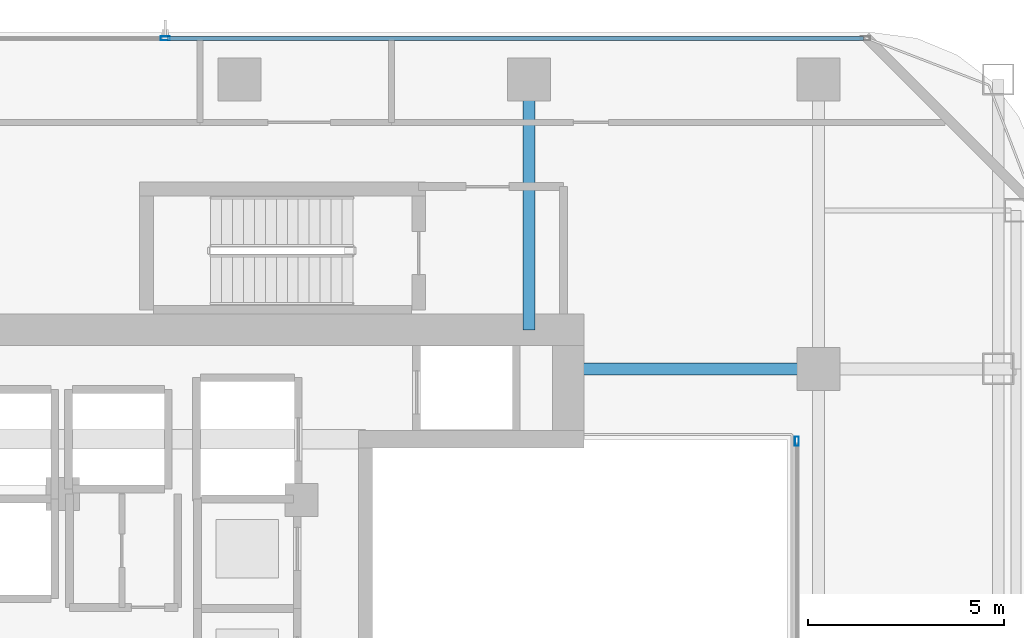
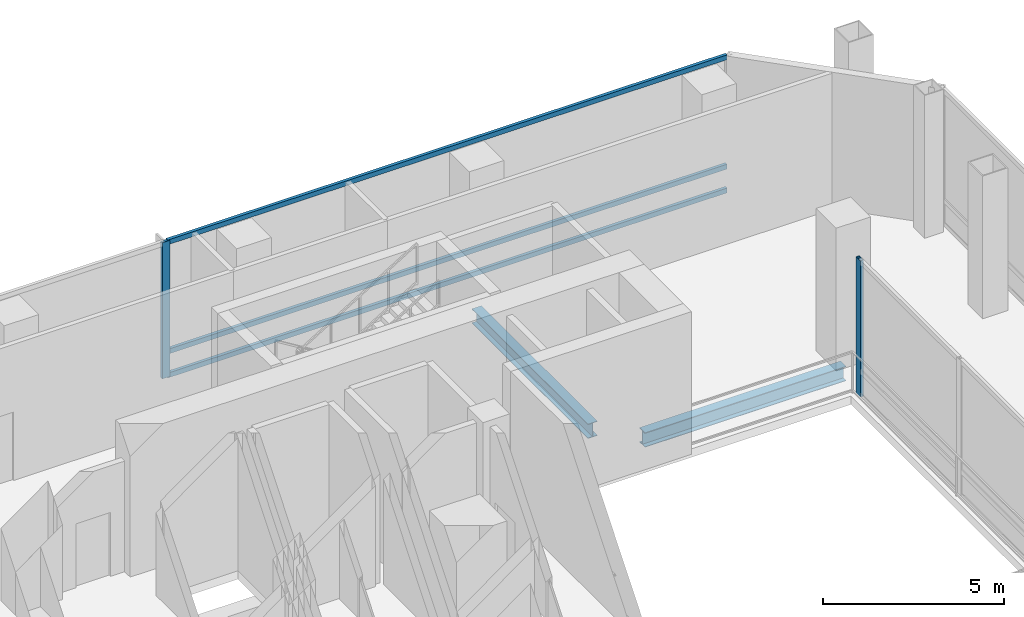
# One storey, part 13 of 22: 5 members, 2 beams, 2 elements without a shape of their own.
"""IFC4 building model written with IfcOpenShell, lengths in metres."""

from ifc_helpers import new_model, si_unit, direction, frame, origin, origin_2d, place, context, subcontext, project, spatial, hollow_rectangle, i_section, extrude, material, layer, layer_set, material_profile, profile_set, type_object, element, aggregate, save


model = new_model("IFC4")

# Units and contexts
model_context = context("Model", 3, precision=1e-05, world=origin(), true_north=direction((0.0, 1.0)))
body_context = subcontext(model_context, "Body", "Model", "MODEL_VIEW")
ifc_project = project(units=[si_unit("LENGTHUNIT", "METRE"), si_unit("AREAUNIT", "SQUARE_METRE"), si_unit("VOLUMEUNIT", "CUBIC_METRE"), si_unit("PLANEANGLEUNIT", "RADIAN"), si_unit("MASSUNIT", "GRAM", prefix="KILO")], contexts=[model_context])

# Site, building, storey
site_placement = place(None, origin())
site = spatial("IfcSite", under=ifc_project, at=site_placement, CompositionType="ELEMENT")
building_placement = place(site_placement, origin())
building = spatial("IfcBuilding", under=site, at=building_placement, Name="Khorvyn Point Tower", CompositionType="ELEMENT")
storey_placement = place(building_placement, frame((0.0, 0.0, 210.89990234375)))
storey = spatial("IfcBuildingStorey", under=building, at=storey_placement, Name="L52", CompositionType="ELEMENT", Elevation=210.89990234375)

# Curtain wall, member
ifc_material_1 = material(Name="Anodised aluminium 6063-T6 and laminated Low-E glass", Category="aluminium")
ifc_layer_1 = layer(ifc_material_1, 0.18994140625)
ifc_layer_set_1 = layer_set([ifc_layer_1], Name="Stick-Built Sky-Lobby Curtain Wall CW-SYS-05")
curtain_wall_type_1 = type_object("IfcCurtainWallType", Name="Stick-Built Sky-Lobby Curtain Wall CW-SYS-05", PredefinedType="NOTDEFINED", material=ifc_layer_set_1)
curtain_wall_1_placement = place(storey_placement, origin())
curtain_wall_1 = element("IfcCurtainWall", 1, at=curtain_wall_1_placement, inside=storey, type_object=curtain_wall_type_1, Name="Curtain Wall", PredefinedType="NOTDEFINED")
ifc_material_2 = material(Name="Anodised aluminium 6063-T6", Category="aluminium")
ifc_material_profile_1 = material_profile(ifc_material_2, hollow_rectangle(XDim=0.10009765625, YDim=0.239990234375, WallThickness=0.0048828125, at=origin_2d()))
ifc_profile_set_1 = profile_set([ifc_material_profile_1], Name="Anodised aluminium 6063-T6 ALU-MUL-100x240")
member_type_1 = type_object("IfcMemberType", Name="Anodised Aluminium 6063-T6 Mullion ALU-MUL-100x240", PredefinedType="MULLION", material=ifc_profile_set_1)
member_1_placement = place(storey_placement, frame((-1.89990234375, 15.85009765625, 0.0), z_axis=(0.0, 0.0, 1.0), x_axis=(0.0, 1.0, 0.0)))
member_1 = element("IfcMember", 2, at=member_1_placement, type_object=member_type_1, Name="Transom", PredefinedType="MULLION", context=body_context, shape_type="SweptSolid", body=[
    extrude(hollow_rectangle(XDim=0.10009765625, YDim=0.239990234375, WallThickness=0.0048828125, at=origin_2d()), origin(), (0.0, 0.0, 1.0), 4.580078125),
])

ifc_layer_2 = layer(ifc_material_1, 0.18994140625)
ifc_layer_set_2 = layer_set([ifc_layer_2], Name="Stick-Built Crystal Atrium Curtain Wall CW-SYS-06")
curtain_wall_type_2 = type_object("IfcCurtainWallType", Name="Stick-Built Crystal Atrium Curtain Wall CW-SYS-06", PredefinedType="NOTDEFINED", material=ifc_layer_set_2)
curtain_wall_2_placement = place(storey_placement, origin())
curtain_wall_2 = element("IfcCurtainWall", 3, at=curtain_wall_2_placement, inside=storey, type_object=curtain_wall_type_2, Name="Curtain Wall", PredefinedType="NOTDEFINED")
member_2_placement = place(storey_placement, frame((14.25, 5.550048828125, 0.0), z_axis=(0.0, 0.0, 1.0), x_axis=(-1.0, 0.0, 0.0)))
member_2 = element("IfcMember", 4, at=member_2_placement, type_object=member_type_1, Name="Transom", PredefinedType="MULLION", context=body_context, shape_type="SweptSolid", body=[
    extrude(hollow_rectangle(XDim=0.10009765625, YDim=0.239990234375, WallThickness=0.0048828125, at=origin_2d()), origin(), (0.0, 0.0, 1.0), 4.580078125),
])
aggregate(curtain_wall_2, [member_2])

# Member
ifc_material_profile_2 = material_profile(ifc_material_2, hollow_rectangle(XDim=0.10009765625, YDim=0.159912109375, WallThickness=0.00439453125, at=origin_2d()))
ifc_profile_set_2 = profile_set([ifc_material_profile_2], Name="Anodised aluminium 6063-T6 ALU-TRN-100x160")
member_type_2 = type_object("IfcMemberType", Name="Anodised Aluminium 6063-T6 Transom ALU-TRN-100x160", PredefinedType="USERDEFINED", material=ifc_profile_set_2)
member_3_placement = place(storey_placement, frame((-1.85009765625, 15.85009765625, 0.050048828125), z_axis=(1.0, 0.0, 0.0), x_axis=(0.0, 1.0, 0.0)))
member_3 = element("IfcMember", 5, at=member_3_placement, type_object=member_type_2, Name="Transom", ObjectType="TRANSOM", PredefinedType="USERDEFINED", context=body_context, shape_type="SweptSolid", body=[
    extrude(hollow_rectangle(XDim=0.10009765625, YDim=0.159912109375, WallThickness=0.00439453125, at=origin_2d()), origin(), (0.0, 0.0, 1.0), 17.800048828125),
])

member_4_placement = place(storey_placement, frame((-1.85009765625, 15.85009765625, 0.85009765625), z_axis=(1.0, 0.0, 0.0), x_axis=(0.0, 1.0, 0.0)))
member_4 = element("IfcMember", 6, at=member_4_placement, type_object=member_type_2, Name="Transom", ObjectType="TRANSOM", PredefinedType="USERDEFINED", context=body_context, shape_type="SweptSolid", body=[
    extrude(hollow_rectangle(XDim=0.10009765625, YDim=0.159912109375, WallThickness=0.00439453125, at=origin_2d()), origin(), (0.0, 0.0, 1.0), 17.800048828125),
])

member_5_placement = place(storey_placement, frame((-1.85009765625, 15.85009765625, 4.530029296875), z_axis=(1.0, 0.0, 0.0), x_axis=(0.0, 1.0, 0.0)))
member_5 = element("IfcMember", 7, at=member_5_placement, type_object=member_type_2, Name="Transom", ObjectType="TRANSOM", PredefinedType="USERDEFINED", context=body_context, shape_type="SweptSolid", body=[
    extrude(hollow_rectangle(XDim=0.10009765625, YDim=0.159912109375, WallThickness=0.00439453125, at=origin_2d()), origin(), (0.0, 0.0, 1.0), 17.800048828125),
])

aggregate(curtain_wall_1, [member_1, member_3, member_4, member_5])

# Beams
ifc_material_3 = material(Name="Steel S355", Category="steel")
ifc_material_profile_3 = material_profile(ifc_material_3, i_section(OverallWidth=0.300048828125, OverallDepth=0.488037109375, WebThickness=0.010986328125, FlangeThickness=0.01806640625, at=origin_2d()))
ifc_profile_set_3 = profile_set([ifc_material_profile_3], Name="Steel S355 H488x300x11x18")
beam_type = type_object("IfcBeamType", Name="Steel S355 Spandrel H488x300x11x18", PredefinedType="SPANDREL", material=ifc_profile_set_3)
for number, where, z_axis, x_axis, name in (
    (8, (8.39990234375, 7.39990234375, -0.52392578125), (1.0, 0.0, 0.0), (0.0, 1.0, 0.0), "Beam"),
    (9, (7.39990234375, 8.39990234375, -0.52392578125), (0.0, 1.0, 0.0), (-1.0, 0.0, 0.0), "Beam"),
):
    element("IfcBeam", number, at=place(storey_placement, frame(where, z_axis=z_axis, x_axis=x_axis)), inside=storey, type_object=beam_type, Name=name, PredefinedType="SPANDREL", context=body_context, shape_type="SweptSolid", body=[
        extrude(i_section(OverallWidth=0.300048828125, OverallDepth=0.488037109375, WebThickness=0.010986328125, FlangeThickness=0.01806640625, at=origin_2d()), origin(), (0.0, 0.0, 1.0), 6.400146484375),
    ])

save(model, "model.ifc")
